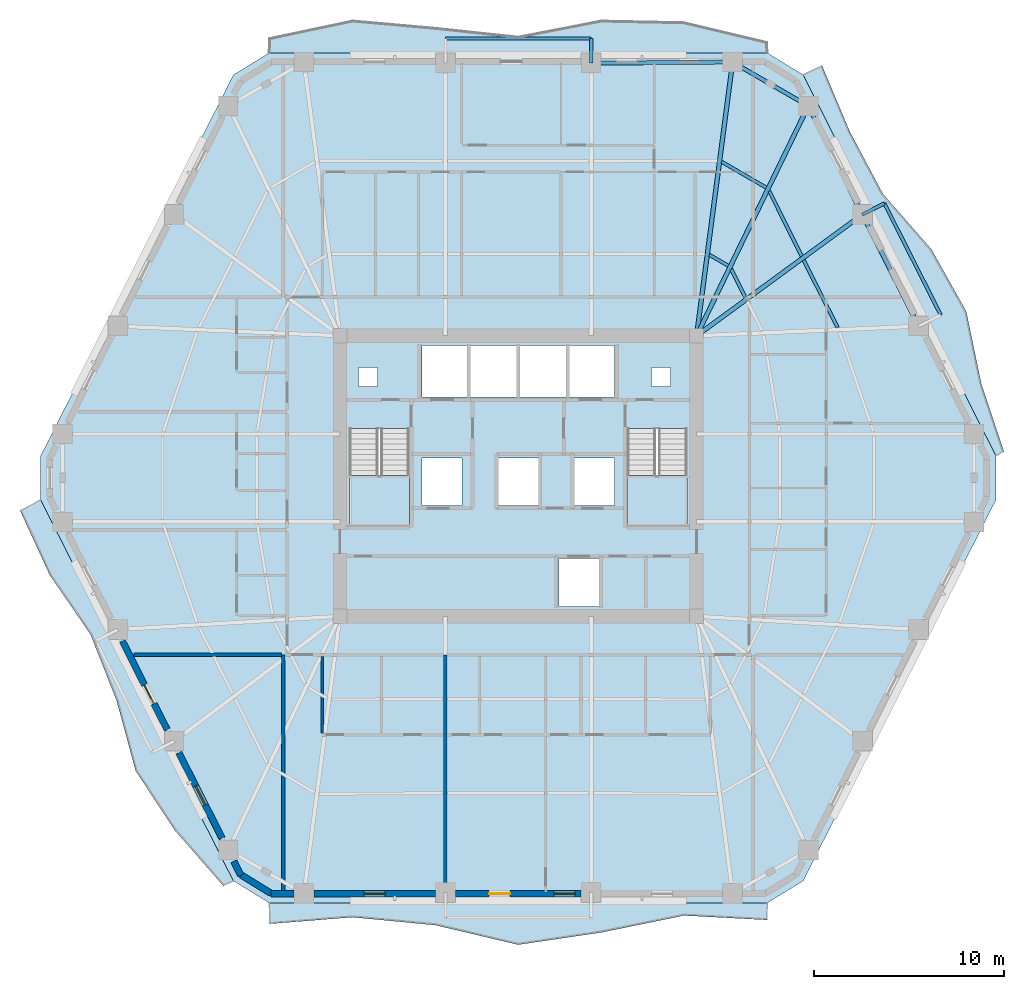
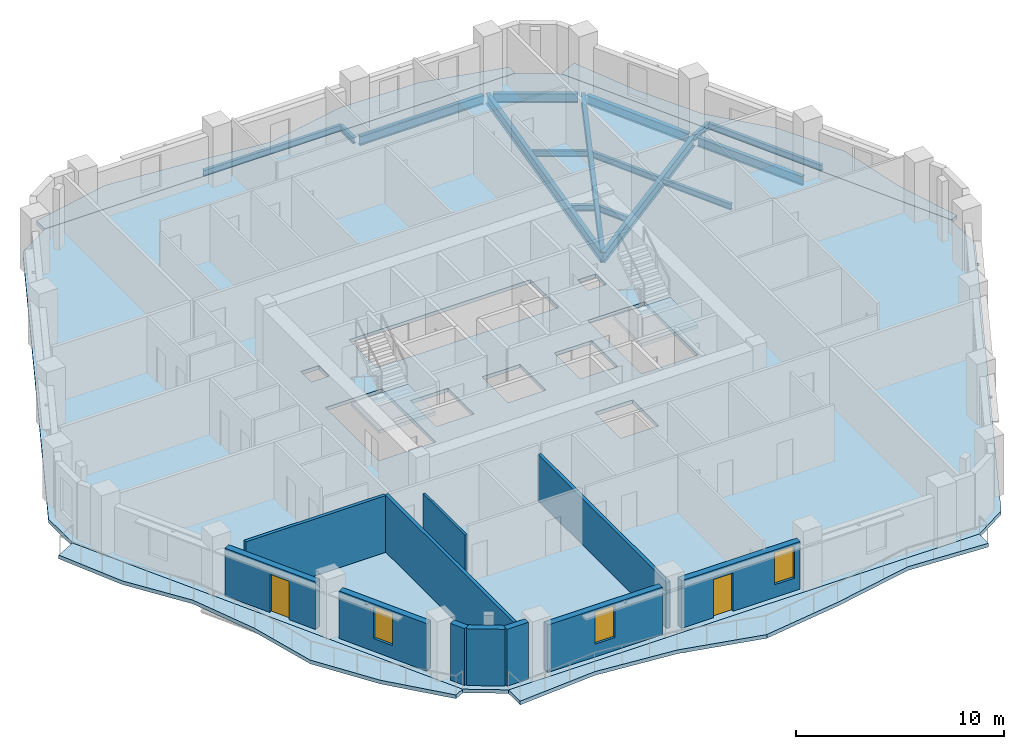
# One storey, part 3 of 12: 16 beams, 11 walls, 7 slabs, 3 windows, 2 doors, 5 openings, 2 elements without a shape of their own.
"""IFC4 building model written with IfcOpenShell, lengths in metres."""

from ifc_helpers import new_model, si_unit, direction, frame, frame_2d, origin, origin_2d, place, context, subcontext, project, spatial, polyline, rectangle, i_section, outline, extrude, material, layer, layer_set, material_profile, profile_set, type_object, element, fill, aggregate, save


model = new_model("IFC4")

# Units and contexts
model_context = context("Model", 3, precision=1e-05, world=origin(), true_north=direction((0.0, 1.0)))
body_context = subcontext(model_context, "Body", "Model", "MODEL_VIEW")
ifc_project = project(units=[si_unit("LENGTHUNIT", "METRE"), si_unit("AREAUNIT", "SQUARE_METRE"), si_unit("VOLUMEUNIT", "CUBIC_METRE"), si_unit("PLANEANGLEUNIT", "RADIAN"), si_unit("MASSUNIT", "GRAM", prefix="KILO")], contexts=[model_context])

# Site, building, storey
site_placement = place(None, origin())
site = spatial("IfcSite", under=ifc_project, at=site_placement, CompositionType="ELEMENT")
building_placement = place(site_placement, origin())
building = spatial("IfcBuilding", under=site, at=building_placement, Name="Cinnabar Lancet Tower", CompositionType="ELEMENT")
storey_placement = place(building_placement, frame((0.0, 0.0, 112.60009765625)))
storey = spatial("IfcBuildingStorey", under=building, at=storey_placement, Name="L29", CompositionType="ELEMENT", Elevation=112.60009765625)

# Beams
ifc_material_1 = material(Name="Structural steel S355", Category="steel")
ifc_material_profile_1 = material_profile(ifc_material_1, i_section(OverallWidth=0.17138671875, OverallDepth=0.35498046875, WebThickness=0.00732421875, FlangeThickness=0.011474609375, FilletRadius=0.01025390625, at=origin_2d()), Name="UKB 356x171x51")
ifc_profile_set_1 = profile_set([ifc_material_profile_1], Name="Structural steel S355")
beam_type_1 = type_object("IfcBeamType", Name="STR-BM-JST-356", PredefinedType="JOIST", material=ifc_profile_set_1)
beam_1_placement = place(storey_placement, frame((49.19189453125, 33.70703125, -0.38720703125), z_axis=(-0.450606998706, 0.892722427587, 0.0), x_axis=(-0.892722427587, -0.450606998706, 0.0)))
element("IfcBeam", 1, at=beam_1_placement, inside=storey, type_object=beam_type_1, Name="L29 Secondary Floor Joist 27", PredefinedType="JOIST", context=body_context, shape_type="SweptSolid", body=[
    extrude(i_section(OverallWidth=0.17138671875, OverallDepth=0.35498046875, WebThickness=0.00732421875, FlangeThickness=0.011474609375, FilletRadius=0.01025390625, at=origin_2d()), origin(), (0.0, 0.0, 1.0), 3.967529296875),
])
beam_2_placement = place(storey_placement, frame((47.300048828125, 37.455078125, -0.38720703125), z_axis=(-0.445116798807, 0.895472520751, 0.0), x_axis=(-0.895472520751, -0.445116798807, 0.0)))
element("IfcBeam", 2, at=beam_2_placement, inside=storey, type_object=beam_type_1, Name="L29 Secondary Floor Joist 29", PredefinedType="JOIST", context=body_context, shape_type="SweptSolid", body=[
    extrude(i_section(OverallWidth=0.17138671875, OverallDepth=0.35498046875, WebThickness=0.00732421875, FlangeThickness=0.011474609375, FilletRadius=0.01025390625, at=origin_2d()), origin(), (0.0, 0.0, 1.0), 3.8212890625),
])
beam_3_placement = place(storey_placement, frame((44.337890625, 35.2900390625, -0.38720703125), z_axis=(-0.445677136949, 0.895193772097, 0.0), x_axis=(-0.895193772097, -0.445677136949, 0.0)))
element("IfcBeam", 3, at=beam_3_placement, inside=storey, type_object=beam_type_1, Name="L29 Secondary Floor Joist 30", PredefinedType="JOIST", context=body_context, shape_type="SweptSolid", body=[
    extrude(i_section(OverallWidth=0.17138671875, OverallDepth=0.35498046875, WebThickness=0.00732421875, FlangeThickness=0.011474609375, FilletRadius=0.01025390625, at=origin_2d()), origin(), (0.0, 0.0, 1.0), 1.6533203125),
])
beam_4_placement = place(storey_placement, frame((45.43505859375, 41.06298828125, -0.38720703125), z_axis=(-0.865172906898, 0.501473669469, 0.0), x_axis=(-0.501473669469, -0.865172906898, 0.0)))
element("IfcBeam", 4, at=beam_4_placement, inside=storey, type_object=beam_type_1, Name="L29 Secondary Floor Joist 31", PredefinedType="JOIST", context=body_context, shape_type="SweptSolid", body=[
    extrude(i_section(OverallWidth=0.17138671875, OverallDepth=0.35498046875, WebThickness=0.00732421875, FlangeThickness=0.011474609375, FilletRadius=0.01025390625, at=origin_2d()), origin(), (0.0, 0.0, 1.0), 2.705810546875),
])
beam_5_placement = place(storey_placement, frame((43.43798828125, 36.9560546875, -0.38720703125), z_axis=(-0.865055308165, 0.501676503154, 0.0), x_axis=(-0.501676503154, -0.865055308165, 0.0)))
element("IfcBeam", 5, at=beam_5_placement, inside=storey, type_object=beam_type_1, Name="L29 Secondary Floor Joist 32", PredefinedType="JOIST", context=body_context, shape_type="SweptSolid", body=[
    extrude(i_section(OverallWidth=0.17138671875, OverallDepth=0.35498046875, WebThickness=0.00732421875, FlangeThickness=0.011474609375, FilletRadius=0.01025390625, at=origin_2d()), origin(), (0.0, 0.0, 1.0), 1.14208984375),
])
ifc_material_2 = material(Name="Structural steel S355", Category="steel")
ifc_material_profile_2 = material_profile(ifc_material_2, i_section(OverallWidth=0.209228515625, OverallDepth=0.533203125, WebThickness=0.010009765625, FlangeThickness=0.015625, FilletRadius=0.0126953125, at=origin_2d()), Name="UKB 533x210x92")
ifc_profile_set_2 = profile_set([ifc_material_profile_2], Name="Structural steel S355")
beam_type_2 = type_object("IfcBeamType", Name="STR-BM-SPN-533", PredefinedType="SPANDREL", material=ifc_profile_set_2)
beam_6_placement = place(storey_placement, frame((53.339111328125, 33.9990234375, -0.47705078125), z_axis=(-0.450570325924, 0.892740937449, 0.0), x_axis=(-0.892740937449, -0.450570325924, 0.0)))
element("IfcBeam", 6, at=beam_6_placement, inside=storey, type_object=beam_type_2, Name="L29 Perimeter Spandrel 10", PredefinedType="SPANDREL", context=body_context, shape_type="SweptSolid", body=[
    extrude(i_section(OverallWidth=0.209228515625, OverallDepth=0.533203125, WebThickness=0.010009765625, FlangeThickness=0.015625, FilletRadius=0.0126953125, at=origin_2d()), origin(), (0.0, 0.0, 1.0), 6.07470703125),
])
beam_7_placement = place(storey_placement, frame((50.3779296875, 39.868896484375, -0.47705078125), z_axis=(-0.445501068635, 0.89528140707, 0.0), x_axis=(-0.89528140707, -0.445501068635, 0.0)))
element("IfcBeam", 7, at=beam_7_placement, inside=storey, type_object=beam_type_2, Name="L29 Perimeter Spandrel 11", PredefinedType="SPANDREL", context=body_context, shape_type="SweptSolid", body=[
    extrude(i_section(OverallWidth=0.209228515625, OverallDepth=0.533203125, WebThickness=0.010009765625, FlangeThickness=0.015625, FilletRadius=0.0126953125, at=origin_2d()), origin(), (0.0, 0.0, 1.0), 5.87646484375),
])
beam_8_placement = place(storey_placement, frame((47.43310546875, 45.47900390625, -0.47705078125), z_axis=(-0.865138129765, 0.5015336643, 0.0), x_axis=(-0.5015336643, -0.865138129765, 0.0)))
element("IfcBeam", 8, at=beam_8_placement, inside=storey, type_object=beam_type_2, Name="L29 Perimeter Spandrel 12", PredefinedType="SPANDREL", context=body_context, shape_type="SweptSolid", body=[
    extrude(i_section(OverallWidth=0.209228515625, OverallDepth=0.533203125, WebThickness=0.010009765625, FlangeThickness=0.015625, FilletRadius=0.0126953125, at=origin_2d()), origin(), (0.0, 0.0, 1.0), 4.10107421875),
])
beam_9_placement = place(storey_placement, frame((43.4189453125, 47.658935546875, -0.47705078125), z_axis=(-0.999975228682, -0.007038609338, 0.0), x_axis=(0.007038609338, -0.999975228682, 0.0)))
element("IfcBeam", 9, at=beam_9_placement, inside=storey, type_object=beam_type_2, Name="L29 Perimeter Spandrel 13", PredefinedType="SPANDREL", context=body_context, shape_type="SweptSolid", body=[
    extrude(i_section(OverallWidth=0.209228515625, OverallDepth=0.533203125, WebThickness=0.010009765625, FlangeThickness=0.015625, FilletRadius=0.0126953125, at=origin_2d()), origin(), (0.0, 0.0, 1.0), 6.937255859375),
])
ifc_material_3 = material(Name="Structural steel S355", Category="steel")
ifc_material_profile_3 = material_profile(ifc_material_3, i_section(OverallWidth=0.228271484375, OverallDepth=0.607666015625, WebThickness=0.010986328125, FlangeThickness=0.017333984375, FilletRadius=0.0126953125, at=origin_2d()), Name="UKB 610x229x113")
ifc_profile_set_3 = profile_set([ifc_material_profile_3], Name="Structural steel S355")
beam_type_3 = type_object("IfcBeamType", Name="STR-BM-UKB610-113", PredefinedType="BEAM", material=ifc_profile_set_3)
beam_10_placement = place(storey_placement, frame((50.489013671875, 39.64501953125, -0.51416015625), z_axis=(-0.807297870919, -0.590144175273, 0.0), x_axis=(0.590144175273, -0.807297870919, 0.0)))
element("IfcBeam", 10, at=beam_10_placement, inside=storey, type_object=beam_type_3, Name="L29 Corner Collector Girder 3", PredefinedType="BEAM", context=body_context, shape_type="SweptSolid", body=[
    extrude(i_section(OverallWidth=0.228271484375, OverallDepth=0.607666015625, WebThickness=0.010986328125, FlangeThickness=0.017333984375, FilletRadius=0.0126953125, at=origin_2d()), origin(), (0.0, 0.0, 1.0), 10.794189453125),
])
beam_11_placement = place(storey_placement, frame((47.64892578125, 45.35400390625, -0.51416015625), z_axis=(-0.437327473227, -0.899302330232, 0.0), x_axis=(0.899302330232, -0.437327473227, 0.0)))
element("IfcBeam", 11, at=beam_11_placement, inside=storey, type_object=beam_type_3, Name="L29 Primary Floor Girder 12", PredefinedType="BEAM", context=body_context, shape_type="SweptSolid", body=[
    extrude(i_section(OverallWidth=0.228271484375, OverallDepth=0.607666015625, WebThickness=0.010986328125, FlangeThickness=0.017333984375, FilletRadius=0.0126953125, at=origin_2d()), origin(), (0.0, 0.0, 1.0), 13.431640625),
])
beam_12_placement = place(storey_placement, frame((43.6689453125, 47.660888671875, -0.51416015625), z_axis=(-0.130532420418, -0.991444041396, 0.0), x_axis=(0.991444041396, -0.130532420418, 0.0)))
element("IfcBeam", 12, at=beam_12_placement, inside=storey, type_object=beam_type_3, Name="L29 Primary Floor Girder 13", PredefinedType="BEAM", context=body_context, shape_type="SweptSolid", body=[
    extrude(i_section(OverallWidth=0.228271484375, OverallDepth=0.607666015625, WebThickness=0.010986328125, FlangeThickness=0.017333984375, FilletRadius=0.0126953125, at=origin_2d()), origin(), (0.0, 0.0, 1.0), 14.51025390625),
])
ifc_material_4 = material(Name="Structural steel S355", Category="steel")
ifc_material_profile_4 = material_profile(ifc_material_4, i_section(OverallWidth=0.17138671875, OverallDepth=0.35498046875, WebThickness=0.00732421875, FlangeThickness=0.011474609375, FilletRadius=0.01025390625, at=origin_2d()), Name="UKB 356x171x51")
ifc_profile_set_4 = profile_set([ifc_material_profile_4], Name="Structural steel S355")
beam_type_4 = type_object("IfcBeamType", Name="STR-BM-WAV-OUT", PredefinedType="BEAM", material=ifc_profile_set_4)
for number, where, z_axis, x_axis, name in (
    (13, (50.489013671875, 39.64501953125, -0.397216796875), (0.89227592947, 0.451490493464, 0.0), (-0.451490493464, 0.89227592947, 0.0), "L29 Face 3 Balcony Outlooker B"),
    (14, (36.23193359375, 47.60791015625, -0.397216796875), (0.0, 1.0, 0.0), (-1.0, 0.0, 0.0), "L29 Face 4 Balcony Outlooker A"),
):
    element("IfcBeam", number, at=place(storey_placement, frame(where, z_axis=z_axis, x_axis=x_axis)), inside=storey, type_object=beam_type_4, Name=name, PredefinedType="BEAM", context=body_context, shape_type="SweptSolid", body=[
        extrude(i_section(OverallWidth=0.17138671875, OverallDepth=0.35498046875, WebThickness=0.00732421875, FlangeThickness=0.011474609375, FilletRadius=0.01025390625, at=origin_2d()), origin(), (0.0, 0.0, 1.0), 1.300048828125),
    ])
ifc_material_5 = material(Name="Structural steel S355", Category="steel")
ifc_material_profile_5 = material_profile(ifc_material_5, i_section(OverallWidth=0.17138671875, OverallDepth=0.35498046875, WebThickness=0.00732421875, FlangeThickness=0.011474609375, FilletRadius=0.01025390625, at=origin_2d()), Name="UKB 356x171x51")
ifc_profile_set_5 = profile_set([ifc_material_profile_5], Name="Structural steel S355")
beam_type_5 = type_object("IfcBeamType", Name="STR-BM-WAV-TRIM", PredefinedType="SPANDREL", material=ifc_profile_set_5)
beam_13_placement = place(storey_placement, frame((54.612060546875, 34.363037109375, -0.397216796875), z_axis=(-0.450700828166, 0.892675060417, 0.0), x_axis=(-0.892675060417, -0.450700828166, 0.0)))
element("IfcBeam", 15, at=beam_13_placement, inside=storey, type_object=beam_type_5, Name="L29 Face 3 Balcony Edge Trimmer", PredefinedType="SPANDREL", context=body_context, shape_type="SweptSolid", body=[
    extrude(i_section(OverallWidth=0.17138671875, OverallDepth=0.35498046875, WebThickness=0.00732421875, FlangeThickness=0.011474609375, FilletRadius=0.01025390625, at=origin_2d()), origin(), (0.0, 0.0, 1.0), 6.574462890625),
])
beam_14_placement = place(storey_placement, frame((36.23193359375, 48.907958984375, -0.397216796875), z_axis=(-1.0, 0.0, 0.0), x_axis=(0.0, -1.0, 0.0)))
element("IfcBeam", 16, at=beam_14_placement, inside=storey, type_object=beam_type_5, Name="L29 Face 4 Balcony Edge Trimmer", PredefinedType="SPANDREL", context=body_context, shape_type="SweptSolid", body=[
    extrude(i_section(OverallWidth=0.17138671875, OverallDepth=0.35498046875, WebThickness=0.00732421875, FlangeThickness=0.011474609375, FilletRadius=0.01025390625, at=origin_2d()), origin(), (0.0, 0.0, 1.0), 7.663818359375),
])

# Stair, slab
ifc_material_6 = material(Name="Concrete C40/50", Category="concrete")
stair_type = type_object("IfcStairType", Name="ST-CORE", PredefinedType="HALF_TURN_STAIR", material=ifc_material_6)
stair_1_placement = place(storey_placement, origin())
stair_1 = element("IfcStair", 17, at=stair_1_placement, inside=storey, type_object=stair_type, Name="L29 ST-1", PredefinedType="HALF_TURN_STAIR")
ifc_material_7 = material(Name="Concrete C40/50", Category="concrete")
ifc_layer_1 = layer(ifc_material_7, 0.199951171875)
ifc_layer_set_1 = layer_set([ifc_layer_1], Name="Concrete C40/50")
slab_type_1 = type_object("IfcSlabType", Name="LANDING-CORE", PredefinedType="LANDING", material=ifc_layer_set_1)
slab_1_placement = place(storey_placement, frame((0.0, 0.0, 1.574951171875)))
slab_1 = element("IfcSlab", 18, at=slab_1_placement, type_object=slab_type_1, Name="ST-1 landing 1", PredefinedType="LANDING", context=body_context, shape_type="SweptSolid", body=[
    extrude(outline(polyline([(23.52490234375, 25.925048828125), (23.52490234375, 23.25), (26.675048828125, 23.25), (26.675048828125, 25.925048828125), (23.52490234375, 25.925048828125)])), origin(), (0.0, 0.0, 1.0), 0.199951171875),
])
aggregate(stair_1, [slab_1])

stair_2_placement = place(storey_placement, origin())
stair_2 = element("IfcStair", 19, at=stair_2_placement, inside=storey, type_object=stair_type, Name="L29 ST-2", PredefinedType="HALF_TURN_STAIR")
slab_2_placement = place(storey_placement, frame((0.0, 0.0, 1.574951171875)))
slab_2 = element("IfcSlab", 20, at=slab_2_placement, type_object=slab_type_1, Name="ST-2 landing 1", PredefinedType="LANDING", context=body_context, shape_type="SweptSolid", body=[
    extrude(outline(polyline([(38.125, 25.925048828125), (38.125, 23.25), (41.27490234375, 23.25), (41.27490234375, 25.925048828125), (38.125, 25.925048828125)])), origin(), (0.0, 0.0, 1.0), 0.199951171875),
])
aggregate(stair_2, [slab_2])

# Slabs
ifc_material_8 = material(Name="Concrete C40/50", Category="concrete")
ifc_layer_2 = layer(ifc_material_8, 0.2099609375)
ifc_layer_set_2 = layer_set([ifc_layer_2], Name="Concrete C40/50")
slab_type_2 = type_object("IfcSlabType", Name="STR-SLB-FLR-210", PredefinedType="FLOOR", material=ifc_layer_set_2)
slab_3_placement = place(storey_placement, frame((0.0, 0.0, -0.210205078125)))
element("IfcSlab", 21, at=slab_3_placement, inside=storey, type_object=slab_type_2, Name="L29 Structural Floor Slab", PredefinedType="FLOOR", context=body_context, shape_type="SweptSolid", body=[
    extrude(outline(polyline([(17.4208984375, 4.610107421875), (19.30810546875, 3.449951171875), (45.491943359375, 3.449951171875), (47.37890625, 4.610107421875), (57.512939453125, 24.639892578125), (57.512939453125, 26.9599609375), (47.37890625, 46.989990234375), (45.491943359375, 48.14990234375), (19.30810546875, 48.14990234375), (17.4208984375, 46.989990234375), (7.287109375, 26.9599609375), (7.287109375, 24.639892578125), (17.4208984375, 4.610107421875)]), holes=[polyline([(23.52490234375, 23.25), (26.675048828125, 23.25), (26.675048828125, 28.3994140625), (23.52490234375, 28.3994140625), (23.52490234375, 23.25)]), polyline([(38.125, 23.25), (41.27490234375, 23.25), (41.27490234375, 28.3994140625), (38.125, 28.3994140625), (38.125, 23.25)]), polyline([(27.35009765625, 30.050048828125), (37.449951171875, 30.050048828125), (37.449951171875, 32.75), (27.35009765625, 32.75), (27.35009765625, 30.050048828125)]), polyline([(34.550048828125, 19.050048828125), (36.64990234375, 19.050048828125), (36.64990234375, 21.550048828125), (34.550048828125, 21.550048828125), (34.550048828125, 19.050048828125)]), polyline([(27.35009765625, 24.35009765625), (29.449951171875, 24.35009765625), (29.449951171875, 26.85009765625), (27.35009765625, 26.85009765625), (27.35009765625, 24.35009765625)]), polyline([(35.35009765625, 24.35009765625), (37.449951171875, 24.35009765625), (37.449951171875, 26.85009765625), (35.35009765625, 26.85009765625), (35.35009765625, 24.35009765625)]), polyline([(31.35009765625, 24.35009765625), (33.449951171875, 24.35009765625), (33.449951171875, 26.85009765625), (31.35009765625, 26.85009765625), (31.35009765625, 24.35009765625)]), polyline([(24.0, 30.60009765625), (25.0, 30.60009765625), (25.0, 31.60009765625), (24.0, 31.60009765625), (24.0, 30.60009765625)]), polyline([(39.39990234375, 30.60009765625), (40.39990234375, 30.60009765625), (40.39990234375, 31.60009765625), (39.39990234375, 31.60009765625), (39.39990234375, 30.60009765625)])]), origin(), (0.0, 0.0, 1.0), 0.210205078125),
])
ifc_material_9 = material(Name="Concrete C45/55", Category="concrete")
ifc_layer_3 = layer(ifc_material_9, 0.219970703125)
ifc_layer_set_3 = layer_set([ifc_layer_3], Name="Concrete C45/55")
slab_type_3 = type_object("IfcSlabType", Name="STR-SLB-WAV-220", PredefinedType="FLOOR", material=ifc_layer_set_3)
slab_4_placement = place(storey_placement, frame((0.0, 0.0, -0.22021484375)))
element("IfcSlab", 22, at=slab_4_placement, inside=storey, type_object=slab_type_3, Name="L29 Face 1 Undulating Wave Balcony Slab", PredefinedType="FLOOR", context=body_context, shape_type="SweptSolid", body=[
    extrude(outline(polyline([(19.30810546875, 3.449951171875), (19.30810546875, 2.35009765625), (23.672119140625, 2.700927734375), (28.035888671875, 2.283935546875), (32.39990234375, 1.25390625), (36.763916015625, 1.89990234375), (41.1279296875, 2.791015625), (45.491943359375, 2.556884765625), (45.491943359375, 3.449951171875), (19.30810546875, 3.449951171875)])), origin(), (0.0, 0.0, 1.0), 0.22021484375),
])
slab_5_placement = place(storey_placement, frame((0.0, 0.0, -0.22021484375)))
element("IfcSlab", 23, at=slab_5_placement, inside=storey, type_object=slab_type_3, Name="L29 Face 3 Undulating Wave Balcony Slab", PredefinedType="FLOOR", context=body_context, shape_type="SweptSolid", body=[
    extrude(outline(polyline([(57.512939453125, 26.9599609375), (57.93798828125, 27.175048828125), (56.741943359375, 30.762939453125), (55.9541015625, 34.556884765625), (54.12109375, 37.822998046875), (51.575927734375, 40.72802734375), (49.819091796875, 44.031982421875), (48.364990234375, 47.489013671875), (47.37890625, 46.989990234375), (57.512939453125, 26.9599609375)])), origin(), (0.0, 0.0, 1.0), 0.22021484375),
])
slab_6_placement = place(storey_placement, frame((0.0, 0.0, -0.22021484375)))
element("IfcSlab", 24, at=slab_6_placement, inside=storey, type_object=slab_type_3, Name="L29 Face 4 Undulating Wave Balcony Slab", PredefinedType="FLOOR", context=body_context, shape_type="SweptSolid", body=[
    extrude(outline(polyline([(45.491943359375, 48.14990234375), (45.491943359375, 48.742919921875), (41.1279296875, 49.785888671875), (36.763916015625, 49.8759765625), (32.39990234375, 49.031982421875), (28.035888671875, 49.491943359375), (23.672119140625, 49.8759765625), (19.30810546875, 48.948974609375), (19.30810546875, 48.14990234375), (45.491943359375, 48.14990234375)])), origin(), (0.0, 0.0, 1.0), 0.22021484375),
])
slab_7_placement = place(storey_placement, frame((0.0, 0.0, -0.22021484375)))
element("IfcSlab", 25, at=slab_7_placement, inside=storey, type_object=slab_type_3, Name="L29 Face 6 Undulating Wave Balcony Slab", PredefinedType="FLOOR", context=body_context, shape_type="SweptSolid", body=[
    extrude(outline(polyline([(7.287109375, 24.639892578125), (6.200927734375, 24.091064453125), (7.76611328125, 20.68994140625), (9.904052734375, 17.577880859375), (11.282958984375, 14.0830078125), (12.281005859375, 10.39501953125), (14.35498046875, 7.251953125), (16.89697265625, 4.344970703125), (17.4208984375, 4.610107421875), (7.287109375, 24.639892578125)])), origin(), (0.0, 0.0, 1.0), 0.22021484375),
])

# Walls
ifc_material_10 = material(Name="Fire-rated twin-frame acoustic drywall", Category="gypsum")
ifc_layer_4 = layer(ifc_material_10, 0.179931640625)
ifc_layer_set_4 = layer_set([ifc_layer_4], Name="Fire-rated twin-frame acoustic drywall")
wall_type_1 = type_object("IfcWallType", Name="ARC-WL-PARTY-180", PredefinedType="PARTITIONING", material=ifc_layer_set_4)
wall_1_placement = place(storey_placement, frame((20.050048828125, 4.10498046875, 0.0), z_axis=(0.0, 0.0, 1.0), x_axis=(0.0, 1.0, 0.0)))
element("IfcWall", 26, at=wall_1_placement, inside=storey, type_object=wall_type_1, Name="PW-L29-SPTY-200", PredefinedType="PARTITIONING", context=body_context, shape_type="SweptSolid", body=[
    extrude(rectangle(XDim=12.39501953125, YDim=0.179931640625, at=frame_2d((6.197509765625, 0.0))), origin(), (0.0, 0.0, 1.0), 3.33984375),
])
wall_2_placement = place(storey_placement, frame((28.568115234375, 4.10498046875, 0.0), z_axis=(0.0, 0.0, 1.0), x_axis=(0.0, 1.0, 0.0)))
element("IfcWall", 27, at=wall_2_placement, inside=storey, type_object=wall_type_1, Name="PW-L29-SPTY-286", PredefinedType="PARTITIONING", context=body_context, shape_type="SweptSolid", body=[
    extrude(rectangle(XDim=12.39501953125, YDim=0.179931640625, at=frame_2d((6.197509765625, 0.0))), origin(), (0.0, 0.0, 1.0), 2.721923828125),
])
wall_3_placement = place(storey_placement, frame((12.18505859375, 16.5, 0.0), z_axis=(0.0, 0.0, 1.0), x_axis=(1.0, 0.0, 0.0)))
element("IfcWall", 28, at=wall_3_placement, inside=storey, type_object=wall_type_1, Name="PW-L29-WSB", PredefinedType="PARTITIONING", context=body_context, shape_type="SweptSolid", body=[
    extrude(rectangle(XDim=7.77001953125, YDim=0.179931640625, at=frame_2d((3.885009765625, 0.0))), origin(), (0.0, 0.0, 1.0), 3.33984375),
])
ifc_material_11 = material(Name="Gypsum plasterboard stud partition", Category="gypsum")
ifc_layer_5 = layer(ifc_material_11, 0.125)
ifc_layer_set_5 = layer_set([ifc_layer_5], Name="Gypsum plasterboard stud partition")
wall_type_2 = type_object("IfcWallType", Name="ARC-WL-UNIT-125", PredefinedType="PARTITIONING", material=ifc_layer_set_5)
wall_4_placement = place(storey_placement, frame((22.10009765625, 12.39111328125, 0.0), z_axis=(0.0, 0.0, 1.0), x_axis=(0.0, 1.0, 0.0)))
element("IfcWall", 29, at=wall_4_placement, inside=storey, type_object=wall_type_2, Name="UW-L29-S01-FOYE", PredefinedType="PARTITIONING", context=body_context, shape_type="SweptSolid", body=[
    extrude(rectangle(XDim=4.02392578125, YDim=0.125, at=frame_2d((2.011962890625, 0.0))), origin(), (0.0, 0.0, 1.0), 2.721923828125),
])
ifc_material_12 = material(Name="Cinnabar red clay brick", Category="masonry")
ifc_layer_6 = layer(ifc_material_12, 0.340087890625)
ifc_layer_set_6 = layer_set([ifc_layer_6], Name="Cinnabar red clay brick")
wall_type_3 = type_object("IfcWallType", Name="ENV-WL-BRK-RED-340", PredefinedType="STANDARD", material=ifc_layer_set_6)
wall_5_placement = place(storey_placement, frame((17.8291015625, 4.923095703125, 0.0), z_axis=(0.0, 0.0, 1.0), x_axis=(0.851798915137, -0.523868884523, 0.0)))
element("IfcWall", 30, at=wall_5_placement, inside=storey, type_object=wall_type_3, Name="L29 Chamfered Corner Brick Pier 1.1", PredefinedType="STANDARD", context=body_context, shape_type="SweptSolid", body=[
    extrude(rectangle(XDim=1.847900390625, YDim=0.340087890625, at=frame_2d((0.923828125, 0.0))), origin(), (0.0, 0.0, 1.0), 3.33984375),
])
wall_6_placement = place(storey_placement, frame((19.39794921875, 3.929931640625, 0.0), z_axis=(0.0, 0.0, 1.0), x_axis=(1.0, 0.0, 0.0)))
element("IfcWall", 31, at=wall_6_placement, inside=storey, type_object=wall_type_3, Name="L29 Face 1 Masonry Bay Wall 1", PredefinedType="STANDARD", context=body_context, shape_type="SweptSolid", body=[
    extrude(rectangle(XDim=1.2041015625, YDim=0.340087890625, at=frame_2d((0.60205078125, 0.0))), origin(), (0.0, 0.0, 1.0), 3.33984375),
])

# Wall, opening, window
wall_7_placement = place(storey_placement, frame((21.659912109375, 3.929931640625, 0.0), z_axis=(0.0, 0.0, 1.0), x_axis=(1.0, 0.0, 0.0)))
wall_7 = element("IfcWall", 32, at=wall_7_placement, inside=storey, type_object=wall_type_3, Name="L29 Face 1 Masonry Bay Wall 2", PredefinedType="STANDARD", context=body_context, shape_type="SweptSolid", body=[
    extrude(rectangle(XDim=6.379150390625, YDim=0.340087890625, at=frame_2d((3.189453125, 0.0))), origin(), (0.0, 0.0, 1.0), 2.796875),
])
opening_1_placement = place(wall_7_placement, frame((2.639892578125, 0.0, 0.75)))
opening_1 = element("IfcOpeningElement", 33, at=opening_1_placement, cuts=wall_7, Name="Opening WN-04", PredefinedType="OPENING", context=body_context, shape_type="SweptSolid", body=[
    extrude(rectangle(XDim=1.10009765625, YDim=1.89697265625, at=frame_2d((0.550048828125, 0.948486328125))), frame((0.0, 0.179931640625, 0.0), z_axis=(0.0, -1.0, 0.0), x_axis=(1.0, 0.0, 0.0)), (0.0, 0.0, 1.0), 0.360107421875),
])
ifc_material_13 = material(Name="Thermally broken bronze-anodized aluminium tall lancet window", Category="aluminium")
window_type = type_object("IfcWindowType", Name="ENV-WN-LANCET-1100", PartitioningType="SINGLE_PANEL", PredefinedType="WINDOW", material=ifc_material_13)
window_1_placement = place(opening_1_placement, origin())
window_1 = element("IfcWindow", 34, at=window_1_placement, inside=storey, type_object=window_type, Name="L29 Face 1 Gothic Lancet Window 2", OverallHeight=1.89697265625, OverallWidth=1.10009765625, PartitioningType="SINGLE_PANEL", PredefinedType="WINDOW", context=body_context, shape_type="SweptSolid", body=[
    extrude(rectangle(XDim=1.10009765625, YDim=1.89697265625, at=frame_2d((0.550048828125, 0.948486328125))), frame((0.0, 0.030029296875, 0.0), z_axis=(0.0, -1.0, 0.0), x_axis=(1.0, 0.0, 0.0)), (0.0, 0.0, 1.0), 0.06005859375),
])
fill(opening_1, window_1)

# Wall, openings, door, window
wall_8_placement = place(storey_placement, frame((29.096923828125, 3.929931640625, 0.0), z_axis=(0.0, 0.0, 1.0), x_axis=(1.0, 0.0, 0.0)))
wall_8 = element("IfcWall", 35, at=wall_8_placement, inside=storey, type_object=wall_type_3, Name="L29 Face 1 Masonry Bay Wall 3", PredefinedType="STANDARD", context=body_context, shape_type="SweptSolid", body=[
    extrude(rectangle(XDim=6.60595703125, YDim=0.340087890625, at=frame_2d((3.302978515625, 0.0))), origin(), (0.0, 0.0, 1.0), 2.796875),
])
opening_2_placement = place(wall_8_placement, frame((1.77490234375, 0.0, 0.0)))
opening_2 = element("IfcOpeningElement", 36, at=opening_2_placement, cuts=wall_8, Name="Opening TD-01", PredefinedType="OPENING", context=body_context, shape_type="SweptSolid", body=[
    extrude(rectangle(XDim=1.10009765625, YDim=2.25, at=frame_2d((0.550048828125, 1.125))), frame((0.0, 0.179931640625, 0.0), z_axis=(0.0, -1.0, 0.0), x_axis=(1.0, 0.0, 0.0)), (0.0, 0.0, 1.0), 0.360107421875),
])
opening_3_placement = place(wall_8_placement, frame((5.18603515625, 0.0, 0.75)))
opening_3 = element("IfcOpeningElement", 37, at=opening_3_placement, cuts=wall_8, Name="Opening WN-04", PredefinedType="OPENING", context=body_context, shape_type="SweptSolid", body=[
    extrude(rectangle(XDim=1.10009765625, YDim=1.89697265625, at=frame_2d((0.550048828125, 0.948486328125))), frame((0.0, 0.179931640625, 0.0), z_axis=(0.0, -1.0, 0.0), x_axis=(1.0, 0.0, 0.0)), (0.0, 0.0, 1.0), 0.360107421875),
])
ifc_material_14 = material(Name="Thermally broken low-E glazed balcony terrace door", Category="wood")
door_type = type_object("IfcDoorType", Name="ARC-DR-BALC", OperationType="NOTDEFINED", PredefinedType="DOOR", material=ifc_material_14)
door_1_placement = place(opening_2_placement, origin())
door_1 = element("IfcDoor", 38, at=door_1_placement, inside=storey, type_object=door_type, Name="L29 Face 1 Glazed Terrace Door", OperationType="SINGLE_SWING_LEFT", OverallHeight=2.25, OverallWidth=1.10009765625, PredefinedType="DOOR", context=body_context, shape_type="SweptSolid", body=[
    extrude(rectangle(XDim=1.10009765625, YDim=2.25, at=frame_2d((0.550048828125, 1.125))), frame((0.0, 0.02490234375, 0.0), z_axis=(0.0, -1.0, 0.0), x_axis=(1.0, 0.0, 0.0)), (0.0, 0.0, 1.0), 0.050048828125),
])
fill(opening_2, door_1)
window_2_placement = place(opening_3_placement, origin())
window_2 = element("IfcWindow", 39, at=window_2_placement, inside=storey, type_object=window_type, Name="L29 Split-Bay Gothic Lancet Window 94", OverallHeight=1.89697265625, OverallWidth=1.10009765625, PartitioningType="SINGLE_PANEL", PredefinedType="WINDOW", context=body_context, shape_type="SweptSolid", body=[
    extrude(rectangle(XDim=1.10009765625, YDim=1.89697265625, at=frame_2d((0.550048828125, 0.948486328125))), frame((0.0, 0.030029296875, 0.0), z_axis=(0.0, -1.0, 0.0), x_axis=(1.0, 0.0, 0.0)), (0.0, 0.0, 1.0), 0.06005859375),
])
fill(opening_3, window_2)

# Wall, opening, door
wall_9_placement = place(storey_placement, frame((11.580078125, 17.218017578125, 0.0), z_axis=(0.0, 0.0, 1.0), x_axis=(0.451567731634, -0.892236842855, 0.0)))
wall_9 = element("IfcWall", 40, at=wall_9_placement, inside=storey, type_object=wall_type_3, Name="L29 Face 6 Masonry Bay Wall 3", PredefinedType="STANDARD", context=body_context, shape_type="SweptSolid", body=[
    extrude(rectangle(XDim=5.219482421875, YDim=0.340087890625, at=frame_2d((2.60986328125, 0.0))), origin(), (0.0, 0.0, 1.0), 2.796875),
])
opening_4_placement = place(wall_9_placement, frame((2.5869140625, 0.0, 0.0)))
opening_4 = element("IfcOpeningElement", 41, at=opening_4_placement, cuts=wall_9, Name="Opening TD-01", PredefinedType="OPENING", context=body_context, shape_type="SweptSolid", body=[
    extrude(rectangle(XDim=1.10009765625, YDim=2.25, at=frame_2d((0.550048828125, 1.125))), frame((0.0, 0.179931640625, 0.0), z_axis=(0.0, -1.0, 0.0), x_axis=(1.0, 0.0, 0.0)), (0.0, 0.0, 1.0), 0.360107421875),
])
door_2_placement = place(opening_4_placement, origin())
door_2 = element("IfcDoor", 42, at=door_2_placement, inside=storey, type_object=door_type, Name="L29 Face 6 Glazed Terrace Door", OperationType="SINGLE_SWING_RIGHT", OverallHeight=2.25, OverallWidth=1.10009765625, PredefinedType="DOOR", context=body_context, shape_type="SweptSolid", body=[
    extrude(rectangle(XDim=1.10009765625, YDim=2.25, at=frame_2d((0.550048828125, 1.125))), frame((0.0, 0.02490234375, 0.0), z_axis=(0.0, -1.0, 0.0), x_axis=(1.0, 0.0, 0.0)), (0.0, 0.0, 1.0), 0.050048828125),
])
fill(opening_4, door_2)

# Wall, opening, window
wall_10_placement = place(storey_placement, frame((14.549072265625, 11.34912109375, 0.0), z_axis=(0.0, 0.0, 1.0), x_axis=(0.451548465867, -0.892246593142, 0.0)))
wall_10 = element("IfcWall", 43, at=wall_10_placement, inside=storey, type_object=wall_type_3, Name="L29 Face 6 Masonry Bay Wall 4", PredefinedType="STANDARD", context=body_context, shape_type="SweptSolid", body=[
    extrude(rectangle(XDim=5.040283203125, YDim=0.340087890625, at=frame_2d((2.52001953125, 0.0))), origin(), (0.0, 0.0, 1.0), 2.796875),
])
opening_5_placement = place(wall_10_placement, frame((1.969970703125, 0.0, 0.75)))
opening_5 = element("IfcOpeningElement", 44, at=opening_5_placement, cuts=wall_10, Name="Opening WN-04", PredefinedType="OPENING", context=body_context, shape_type="SweptSolid", body=[
    extrude(rectangle(XDim=1.10009765625, YDim=1.89697265625, at=frame_2d((0.550048828125, 0.948486328125))), frame((0.0, 0.179931640625, 0.0), z_axis=(0.0, -1.0, 0.0), x_axis=(1.0, 0.0, 0.0)), (0.0, 0.0, 1.0), 0.360107421875),
])
window_3_placement = place(opening_5_placement, origin())
window_3 = element("IfcWindow", 45, at=window_3_placement, inside=storey, type_object=window_type, Name="L29 Face 6 Gothic Lancet Window 4", OverallHeight=1.89697265625, OverallWidth=1.10009765625, PartitioningType="SINGLE_PANEL", PredefinedType="WINDOW", context=body_context, shape_type="SweptSolid", body=[
    extrude(rectangle(XDim=1.10009765625, YDim=1.89697265625, at=frame_2d((0.550048828125, 0.948486328125))), frame((0.0, 0.030029296875, 0.0), z_axis=(0.0, -1.0, 0.0), x_axis=(1.0, 0.0, 0.0)), (0.0, 0.0, 1.0), 0.06005859375),
])
fill(opening_5, window_3)

# Wall
wall_11_placement = place(storey_placement, frame((17.43798828125, 5.639892578125, 0.0), z_axis=(0.0, 0.0, 1.0), x_axis=(0.45172514337, -0.892157158155, 0.0)))
element("IfcWall", 46, at=wall_11_placement, inside=storey, type_object=wall_type_3, Name="L29 Face 6 Masonry Bay Wall 5", PredefinedType="STANDARD", context=body_context, shape_type="SweptSolid", body=[
    extrude(rectangle(XDim=0.821533203125, YDim=0.340087890625, at=frame_2d((0.41064453125, 0.0))), origin(), (0.0, 0.0, 1.0), 3.33984375),
])

save(model, "model.ifc")
